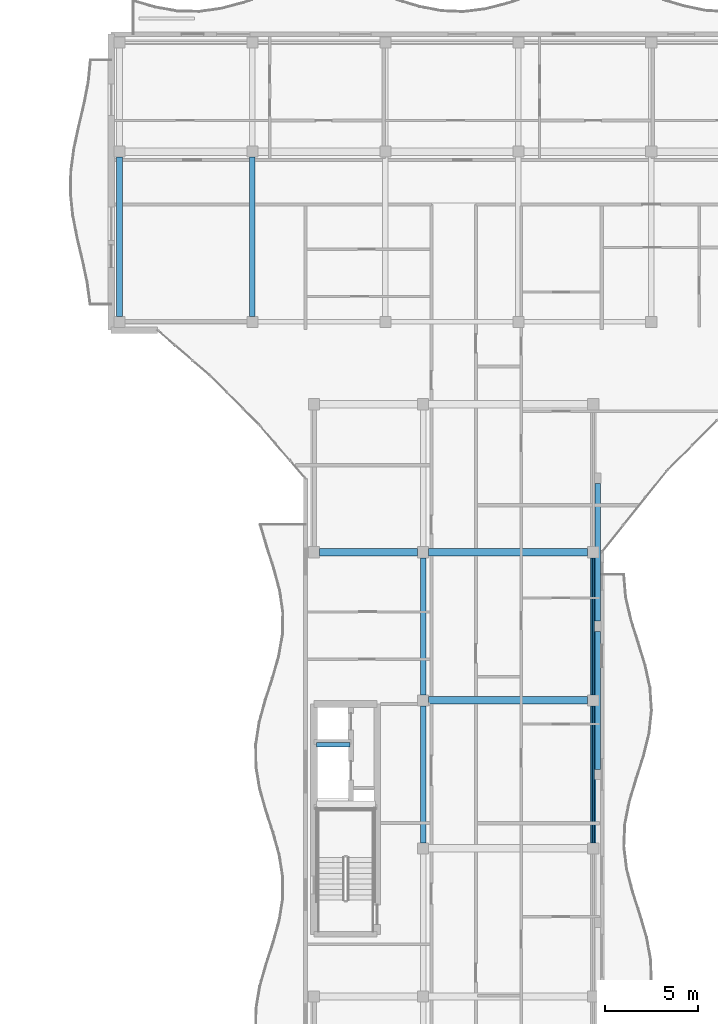
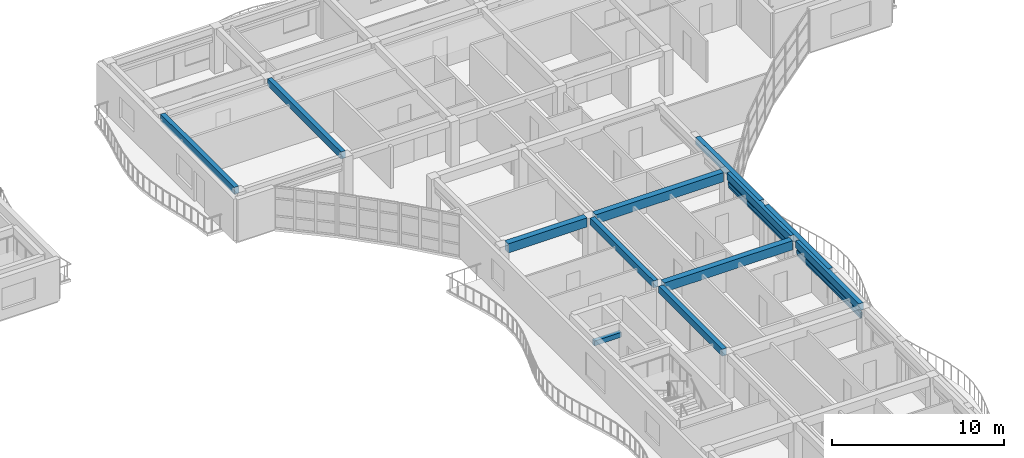
# One storey, part 18 of 79: 12 beams, 4 members.
"""IFC4 building model written with IfcOpenShell, lengths in metres."""

from ifc_helpers import new_model, si_unit, direction, frame, origin, origin_2d, place, context, subcontext, project, spatial, rectangle, hollow_rectangle, extrude, material, material_profile, profile_set, type_object, element, save


model = new_model("IFC4")

# Units and contexts
model_context = context("Model", 3, precision=1e-05, world=origin(), true_north=direction((0.0, 1.0)))
body_context = subcontext(model_context, "Body", "Model", "MODEL_VIEW")
ifc_project = project(units=[si_unit("LENGTHUNIT", "METRE"), si_unit("AREAUNIT", "SQUARE_METRE"), si_unit("VOLUMEUNIT", "CUBIC_METRE"), si_unit("PLANEANGLEUNIT", "RADIAN"), si_unit("MASSUNIT", "GRAM", prefix="KILO")], contexts=[model_context])

# Site, building, storey
site_placement = place(None, origin())
site = spatial("IfcSite", under=ifc_project, at=site_placement, CompositionType="ELEMENT")
building_placement = place(site_placement, origin())
building = spatial("IfcBuilding", under=site, at=building_placement, Name="Keldmere Railside Commons", CompositionType="ELEMENT")
storey_placement = place(building_placement, frame((0.0, 0.0, 10.56005859375)))
storey = spatial("IfcBuildingStorey", under=building, at=storey_placement, Name="L03", CompositionType="ELEMENT", Elevation=10.56005859375)

# Members
ifc_material_1 = material(Name="Steel F-36 (S355)", Category="steel")
ifc_material_profile_1 = material_profile(ifc_material_1, hollow_rectangle(XDim=0.14990234375, YDim=0.25, WallThickness=0.010009765625, at=origin_2d()), Name="RHS-250x150x10")
ifc_profile_set_1 = profile_set([ifc_material_profile_1], Name="Steel F-36 (S355)")
member_type_1 = type_object("IfcMemberType", Name="Balcony Continuous Planted Trough RHS250x150", PredefinedType="CHORD", material=ifc_profile_set_1)
for number, where, z_axis, x_axis, name in (
    (1, (119.550048828125, 72.300048828125, 2.4150390625), (0.0, 1.0, 0.0), (-1.0, 0.0, 0.0), "PLT-1 MEM-BPLT-0411"),
    (2, (119.550048828125, 80.300048828125, 2.4150390625), (0.0, 1.0, 0.0), (-1.0, 0.0, 0.0), "PLT-1 MEM-BPLT-0413"),
):
    element("IfcMember", number, at=place(storey_placement, frame(where, z_axis=z_axis, x_axis=x_axis)), inside=storey, type_object=member_type_1, Name=name, PredefinedType="CHORD", context=body_context, shape_type="SweptSolid", body=[
        extrude(hollow_rectangle(XDim=0.14990234375, YDim=0.25, WallThickness=0.010009765625, at=origin_2d()), origin(), (0.0, 0.0, 1.0), 7.39990234375),
    ])

# Beams
ifc_material_2 = material(Name="Concrete H-30 (C30/37)", Category="concrete")
ifc_material_profile_2 = material_profile(ifc_material_2, rectangle(XDim=0.25, YDim=0.35009765625, at=origin_2d()), Name="RC-250x350")
ifc_profile_set_2 = profile_set([ifc_material_profile_2], Name="Concrete H-30 (C30/37)")
beam_type_1 = type_object("IfcBeamType", Name="Masonry Opening RC Lintel 250x350", PredefinedType="LINTEL", material=ifc_profile_set_2)
beam_1_placement = place(storey_placement, frame((104.590087890625, 77.60009765625, 2.425048828125), z_axis=(1.0, 0.0, 0.0), x_axis=(0.0, 1.0, 0.0)))
element("IfcBeam", 3, at=beam_1_placement, inside=storey, type_object=beam_type_1, Name="LNT-1 BM-L03-2562", PredefinedType="LINTEL", context=body_context, shape_type="SweptSolid", body=[
    extrude(rectangle(XDim=0.25, YDim=0.35009765625, at=origin_2d()), origin(), (0.0, 0.0, 1.0), 1.809814453125),
])
ifc_material_profile_3 = material_profile(ifc_material_2, rectangle(XDim=0.39990234375, YDim=0.64990234375, at=origin_2d()), Name="RC-400x650")
ifc_profile_set_3 = profile_set([ifc_material_profile_3], Name="Concrete H-30 (C30/37)")
beam_type_2 = type_object("IfcBeamType", Name="Residential Spine RC Girder 400x650", PredefinedType="BEAM", material=ifc_profile_set_3)
beam_2_placement = place(storey_placement, frame((110.64990234375, 80.0, 2.875), z_axis=(1.0, 0.0, 0.0), x_axis=(0.0, 1.0, 0.0)))
element("IfcBeam", 4, at=beam_2_placement, inside=storey, type_object=beam_type_2, Name="BG-3 BM-L03-1351", PredefinedType="BEAM", context=body_context, shape_type="SweptSolid", body=[
    extrude(rectangle(XDim=0.39990234375, YDim=0.64990234375, at=origin_2d()), origin(), (0.0, 0.0, 1.0), 8.60009765625),
])
beam_3_placement = place(storey_placement, frame((104.75, 88.0, 2.875), z_axis=(1.0, 0.0, 0.0), x_axis=(0.0, 1.0, 0.0)))
element("IfcBeam", 5, at=beam_3_placement, inside=storey, type_object=beam_type_2, Name="BG-3 BM-L03-1357", PredefinedType="BEAM", context=body_context, shape_type="SweptSolid", body=[
    extrude(rectangle(XDim=0.39990234375, YDim=0.64990234375, at=origin_2d()), origin(), (0.0, 0.0, 1.0), 5.300048828125),
])
beam_4_placement = place(storey_placement, frame((110.64990234375, 88.0, 2.875), z_axis=(1.0, 0.0, 0.0), x_axis=(0.0, 1.0, 0.0)))
element("IfcBeam", 6, at=beam_4_placement, inside=storey, type_object=beam_type_2, Name="BG-3 BM-L03-1358", PredefinedType="BEAM", context=body_context, shape_type="SweptSolid", body=[
    extrude(rectangle(XDim=0.39990234375, YDim=0.64990234375, at=origin_2d()), origin(), (0.0, 0.0, 1.0), 8.60009765625),
])
ifc_material_profile_4 = material_profile(ifc_material_2, rectangle(XDim=0.300048828125, YDim=0.5, at=origin_2d()), Name="RC-300x500")
ifc_profile_set_4 = profile_set([ifc_material_profile_4], Name="Concrete H-30 (C30/37)")
beam_type_3 = type_object("IfcBeamType", Name="Secondary Frame RC Beam 300x500", PredefinedType="BEAM", material=ifc_profile_set_4)
for number, where, z_axis, x_axis, name in (
    (7, (93.949951171875, 100.75, 2.949951171875), (0.0, 1.0, 0.0), (-1.0, 0.0, 0.0), "BG-5 BM-L03-1461"),
    (8, (101.133056640625, 100.75, 2.949951171875), (0.0, 1.0, 0.0), (-1.0, 0.0, 0.0), "BG-5 BM-L03-1463"),
):
    element("IfcBeam", number, at=place(storey_placement, frame(where, z_axis=z_axis, x_axis=x_axis)), inside=storey, type_object=beam_type_3, Name=name, PredefinedType="BEAM", context=body_context, shape_type="SweptSolid", body=[
        extrude(rectangle(XDim=0.300048828125, YDim=0.5, at=origin_2d()), origin(), (0.0, 0.0, 1.0), 8.60009765625),
    ])
for number, where, z_axis, x_axis, name in (
    (9, (110.35009765625, 72.300048828125, 2.949951171875), (0.0, 1.0, 0.0), (-1.0, 0.0, 0.0), "BG-5 BM-L03-1471"),
    (10, (110.35009765625, 80.300048828125, 2.949951171875), (0.0, 1.0, 0.0), (-1.0, 0.0, 0.0), "BG-5 BM-L03-1472"),
    (11, (119.550048828125, 72.300048828125, 2.949951171875), (0.0, 1.0, 0.0), (-1.0, 0.0, 0.0), "BG-5 BM-L03-1478"),
    (12, (119.550048828125, 80.300048828125, 2.949951171875), (0.0, 1.0, 0.0), (-1.0, 0.0, 0.0), "BG-5 BM-L03-1479"),
):
    element("IfcBeam", number, at=place(storey_placement, frame(where, z_axis=z_axis, x_axis=x_axis)), inside=storey, type_object=beam_type_3, Name=name, PredefinedType="BEAM", context=body_context, shape_type="SweptSolid", body=[
        extrude(rectangle(XDim=0.300048828125, YDim=0.5, at=origin_2d()), origin(), (0.0, 0.0, 1.0), 7.39990234375),
    ])
for number, where, z_axis, x_axis, name in (
    (13, (119.780029296875, 76.27490234375, 2.949951171875), (0.0, 1.0, 0.0), (-1.0, 0.0, 0.0), "BG-5 BM-L03-1483"),
    (14, (119.780029296875, 84.27490234375, 2.949951171875), (0.0, 1.0, 0.0), (-1.0, 0.0, 0.0), "BG-5 BM-L03-1484"),
):
    element("IfcBeam", number, at=place(storey_placement, frame(where, z_axis=z_axis, x_axis=x_axis)), inside=storey, type_object=beam_type_3, Name=name, PredefinedType="BEAM", context=body_context, shape_type="SweptSolid", body=[
        extrude(rectangle(XDim=0.300048828125, YDim=0.5, at=origin_2d()), origin(), (0.0, 0.0, 1.0), 7.4501953125),
    ])

# Members
ifc_material_profile_5 = material_profile(ifc_material_1, hollow_rectangle(XDim=0.10009765625, YDim=0.159912109375, WallThickness=0.008056640625, at=origin_2d()), Name="RHS-160x100x8")
ifc_profile_set_5 = profile_set([ifc_material_profile_5], Name="Steel F-36 (S355)")
member_type_2 = type_object("IfcMemberType", Name="Solar Brise-Soleil Louvre Fin RHS160x100", PredefinedType="STRUT", material=ifc_profile_set_5)
for number, where, z_axis, x_axis, name in (
    (15, (119.550048828125, 72.300048828125, 2.199951171875), (0.0, 1.0, 0.0), (-1.0, 0.0, 0.0), "BSF-1 MEM-BSF-0412"),
    (16, (119.550048828125, 80.300048828125, 2.199951171875), (0.0, 1.0, 0.0), (-1.0, 0.0, 0.0), "BSF-1 MEM-BSF-0414"),
):
    element("IfcMember", number, at=place(storey_placement, frame(where, z_axis=z_axis, x_axis=x_axis)), inside=storey, type_object=member_type_2, Name=name, PredefinedType="STRUT", context=body_context, shape_type="SweptSolid", body=[
        extrude(hollow_rectangle(XDim=0.10009765625, YDim=0.159912109375, WallThickness=0.008056640625, at=origin_2d()), origin(), (0.0, 0.0, 1.0), 7.39990234375),
    ])

save(model, "model.ifc")
